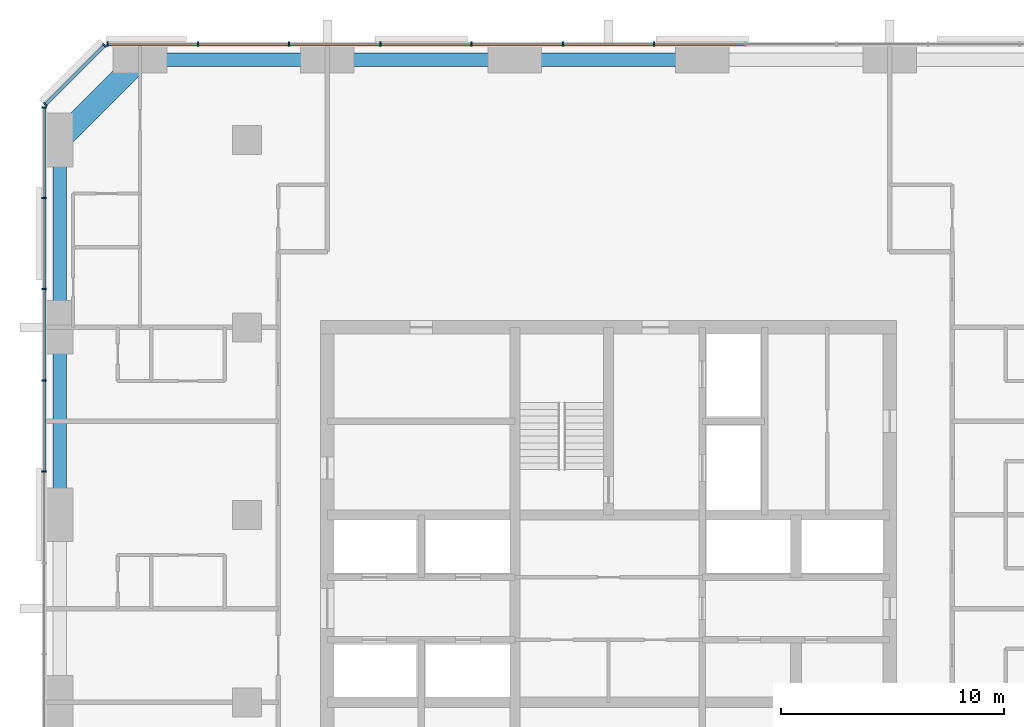
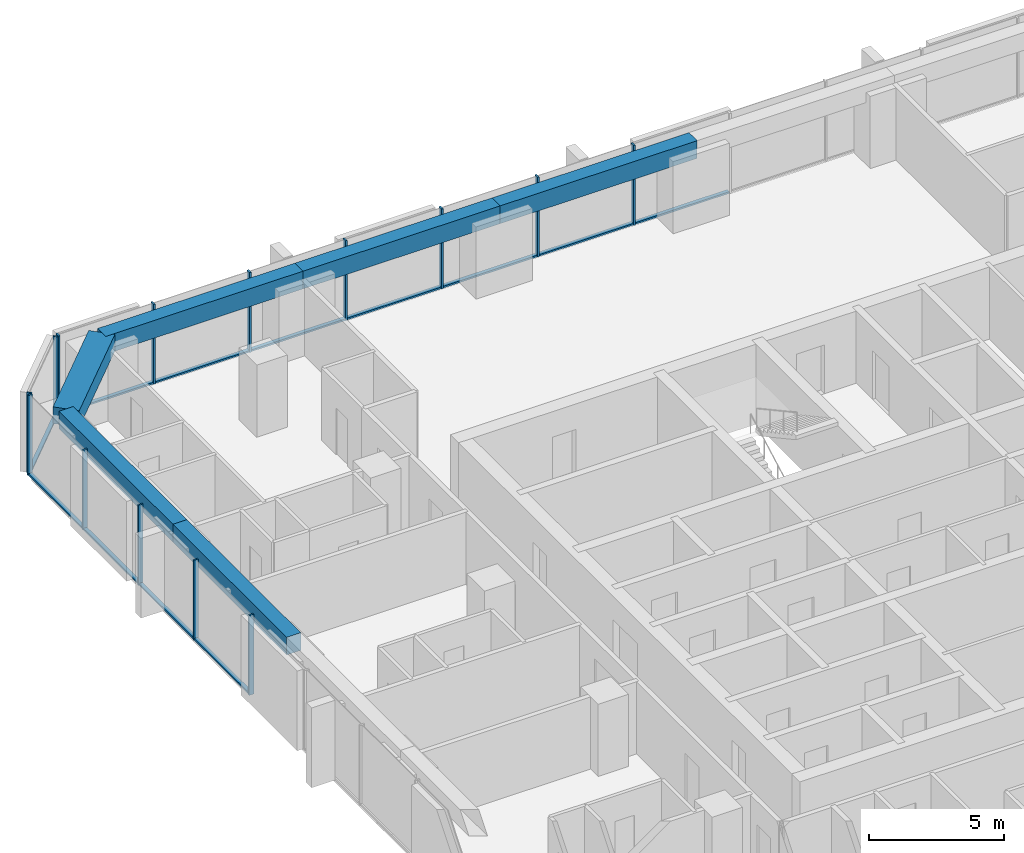
# One storey, part 5 of 14: 26 members, 6 beams, 3 elements without a shape of their own.
"""IFC4 building model written with IfcOpenShell, lengths in metres."""

import ifcopenshell
import ifcopenshell.guid

model = None  # the IFC model being written
_history = None  # IfcOwnerHistory: only IFC2X3 demands one
_inside = {}  # id of a spatial element -> (the spatial element, [elements in it])
_under = {}  # id of a project, library or spatial element -> (it, [spatial elements below it])
_declared = {}  # id of a project -> (the project, [libraries it declares])
_typed = {}  # id of a type object -> (the type object, [elements of that type])
_made_of = {}  # id of a material, layer set ... -> (it, [elements and type objects made of it])


def new_model(schema):
    """Start an empty IFC model of exactly this schema.

    Asked for "IFC4X3", IfcOpenShell would pick the latest addendum, in which some entities
    have other attributes; the version numbers below select the first issue.
    IFC2X3 requires an IfcOwnerHistory on every rooted entity: one is made here for all.
    """
    global model, _history
    if schema == "IFC4X3":
        model = ifcopenshell.file(schema_version=(4, 3, 0, 0))
    else:
        model = ifcopenshell.file(schema=schema)
    _inside.clear()
    _under.clear()
    _declared.clear()
    _typed.clear()
    _made_of.clear()
    _history = None
    if model.schema == "IFC2X3":
        org = make("IfcOrganization", Name="unknown")
        user = make(
            "IfcPersonAndOrganization",
            ThePerson=make("IfcPerson", FamilyName="unknown"),
            TheOrganization=org,
        )
        app = make(
            "IfcApplication",
            ApplicationDeveloper=org,
            Version="unknown",
            ApplicationFullName="unknown",
            ApplicationIdentifier="unknown",
        )
        _history = make(
            "IfcOwnerHistory",
            OwningUser=user,
            OwningApplication=app,
            ChangeAction="ADDED",
            CreationDate=0,
        )
    return model


def make(cls, **values):
    """One entity of the class cls with the attributes given. An attribute that is None is left unset."""
    return model.create_entity(
        cls, **{name: value for name, value in values.items() if value is not None}
    )


def rooted(cls, **values):
    """An entity with a GlobalId (a new one), such as an element, a storey or a relation."""
    return make(cls, GlobalId=ifcopenshell.guid.new(), OwnerHistory=_history, **values)


def si_unit(unit_type, name, prefix=None):
    """IfcSIUnit, for example si_unit("LENGTHUNIT", "METRE", prefix="MILLI")."""
    return make("IfcSIUnit", UnitType=unit_type, Prefix=prefix, Name=name)


def assignment(units):
    """IfcUnitAssignment: the units of a project."""
    return None if units is None else make("IfcUnitAssignment", Units=units)


def point(xyz):
    """IfcCartesianPoint."""
    return None if xyz is None else make("IfcCartesianPoint", Coordinates=xyz)


def direction(xyz):
    """IfcDirection."""
    return None if xyz is None else make("IfcDirection", DirectionRatios=xyz)


def frame(location, z_axis=None, x_axis=None):
    """IfcAxis2Placement3D, a coordinate frame: its origin and axes. An axis left out is left unset."""
    return make(
        "IfcAxis2Placement3D",
        Location=point(location),
        Axis=direction(z_axis),
        RefDirection=direction(x_axis),
    )


def frame_2d(location, x_axis=None):
    """IfcAxis2Placement2D, a coordinate frame in the plane: its origin and x axis."""
    return make(
        "IfcAxis2Placement2D", Location=point(location), RefDirection=direction(x_axis)
    )


def origin():
    """The frame at (0, 0, 0) with its axes left unset."""
    return frame((0.0, 0.0, 0.0))


def origin_2d():
    """The frame at (0, 0) in the plane with its x axis left unset."""
    return frame_2d((0.0, 0.0))


def place(relative_to, where):
    """IfcLocalPlacement: puts the frame where relative to a parent placement (None: the world)."""
    return make(
        "IfcLocalPlacement", PlacementRelTo=relative_to, RelativePlacement=where
    )


def context(
    kind, dimensions, precision=None, world=None, true_north=None, identifier=None
):
    """IfcGeometricRepresentationContext, for example the 3D "Model" context."""
    return make(
        "IfcGeometricRepresentationContext",
        ContextIdentifier=identifier,
        ContextType=kind,
        CoordinateSpaceDimension=dimensions,
        Precision=precision,
        WorldCoordinateSystem=world,
        TrueNorth=true_north,
    )


def subcontext(parent, identifier, kind, view, scale=None):
    """IfcGeometricRepresentationSubContext, for example "Body" below "Model"."""
    return make(
        "IfcGeometricRepresentationSubContext",
        ContextIdentifier=identifier,
        ContextType=kind,
        ParentContext=parent,
        TargetScale=scale,
        TargetView=view,
    )


def project(units=None, contexts=None):
    """IfcProject with its units and contexts."""
    return rooted(
        "IfcProject",
        Name="project",
        RepresentationContexts=contexts,
        UnitsInContext=assignment(units),
    )


def spatial(cls, under=None, at=None, **own):
    """A site, building, storey or space (cls), placed at a placement, below another one or the project."""
    s = rooted(cls, ObjectPlacement=at, **own)
    if under is not None:
        _under.setdefault(under.id(), (under, []))[1].append(s)
    return s


def profile(cls, at=None, kind="AREA", **sizes):
    """A parametric profile (cls). Its sizes go by their IFC names, for example OverallWidth=200.0."""
    return make(cls, ProfileType=kind, Position=at, **sizes)


def rectangle(**sizes):
    """IfcRectangleProfileDef."""
    return profile("IfcRectangleProfileDef", **sizes)


def extrude(swept, where, along, depth):
    """IfcExtrudedAreaSolid: the profile swept, set in the frame where, extruded along a direction by depth."""
    return make(
        "IfcExtrudedAreaSolid",
        SweptArea=swept,
        Position=where,
        ExtrudedDirection=direction(along),
        Depth=depth,
    )


def shape(context_of_items, identifier, shape_type, items):
    """IfcShapeRepresentation: the items that make up one representation, for example the "Body"."""
    return make(
        "IfcShapeRepresentation",
        ContextOfItems=context_of_items,
        RepresentationIdentifier=identifier,
        RepresentationType=shape_type,
        Items=items,
    )


def material(Name=None, Category=None):
    """IfcMaterial."""
    return make("IfcMaterial", Name=Name, Category=Category)


def material_profile(
    of_material, cross_section, Name=None, Category=None, Priority=None
):
    """IfcMaterialProfile: a cross section and its material."""
    return make(
        "IfcMaterialProfile",
        Name=Name,
        Material=of_material,
        Profile=cross_section,
        Priority=Priority,
        Category=Category,
    )


def profile_set(profiles, Name=None, composite=None):
    """IfcMaterialProfileSet."""
    return make(
        "IfcMaterialProfileSet",
        Name=Name,
        MaterialProfiles=profiles,
        CompositeProfile=composite,
    )


def made_of(thing, what):
    """Note that an element or type object is made of a material, layer set ...; save() writes the relation."""
    if what is not None:
        _made_of.setdefault(what.id(), (what, []))[1].append(thing)
    return thing


def type_object(cls, material=None, **own):
    """A type object (cls), such as IfcWallType, which elements share."""
    return made_of(rooted(cls, **own), material)


def element(
    cls,
    number,
    at=None,
    inside=None,
    cuts=None,
    type_object=None,
    material=None,
    context=None,
    identifier="Body",
    shape_type=None,
    held_by="IfcProductDefinitionShape",
    body=None,
    shapes=None,
    **own,
):
    """One element of the class cls, such as IfcWall. Its Tag is "e" and its number.

    at: its placement. inside: the storey or other place that contains it. cuts: it is an
    opening in that element (IfcRelVoidsElement). A single representation is given by context,
    identifier, shape_type and body (its items); several are given by shapes. held_by: the class
    of the entity that holds the representations. save() writes the other relations.
    """
    e = rooted(cls, Tag="e%d" % number, ObjectPlacement=at, **own)
    if body is not None:
        shapes = [shape(context, identifier, shape_type, body)]
    if shapes is not None:
        e.Representation = make(held_by, Representations=shapes)
    if inside is not None:
        _inside.setdefault(inside.id(), (inside, []))[1].append(e)
    if cuts is not None:
        rooted(
            "IfcRelVoidsElement", RelatingBuildingElement=cuts, RelatedOpeningElement=e
        )
    if type_object is not None:
        _typed.setdefault(type_object.id(), (type_object, []))[1].append(e)
    return made_of(e, material)


def aggregate(whole, parts):
    """IfcRelAggregates: a whole, such as a stair, and the parts it consists of."""
    return rooted("IfcRelAggregates", RelatingObject=whole, RelatedObjects=parts)


def save(model, path):
    """Write the relations noted so far, then the file.

    IfcRelAggregates (storeys below a building ...), IfcRelContainedInSpatialStructure (elements
    in a storey), IfcRelDefinesByType, IfcRelAssociatesMaterial and IfcRelDeclares: one each for
    every whole, place, type object, material and project.
    """
    for whole, parts in _under.values():
        aggregate(whole, parts)
    for where, things in _inside.values():
        rooted(
            "IfcRelContainedInSpatialStructure",
            RelatedElements=things,
            RelatingStructure=where,
        )
    for kind, things in _typed.values():
        rooted("IfcRelDefinesByType", RelatedObjects=things, RelatingType=kind)
    for what, things in _made_of.values():
        rooted("IfcRelAssociatesMaterial", RelatedObjects=things, RelatingMaterial=what)
    for by, libraries in _declared.values():
        rooted("IfcRelDeclares", RelatingContext=by, RelatedDefinitions=libraries)
    model.write(path)


model = new_model("IFC4")

# Units and contexts
model_context = context("Model", 3, precision=1e-05, world=origin(), true_north=direction((0.0, 1.0)))
body_context = subcontext(model_context, "Body", "Model", "MODEL_VIEW")
ifc_project = project(units=[si_unit("LENGTHUNIT", "METRE"), si_unit("AREAUNIT", "SQUARE_METRE"), si_unit("VOLUMEUNIT", "CUBIC_METRE"), si_unit("PLANEANGLEUNIT", "RADIAN"), si_unit("MASSUNIT", "GRAM", prefix="KILO")], contexts=[model_context])

# Site, building, storey
site_placement = place(None, origin())
site = spatial("IfcSite", under=ifc_project, at=site_placement, CompositionType="ELEMENT")
building_placement = place(site_placement, origin())
building = spatial("IfcBuilding", under=site, at=building_placement, Name="Dunama Terrace Hotel", CompositionType="ELEMENT")
storey_placement = place(building_placement, frame((0.0, 0.0, 180.60009765625)))
storey = spatial("IfcBuildingStorey", under=building, at=storey_placement, Name="L46", CompositionType="ELEMENT", Elevation=180.60009765625)

# Curtain wall, members
ifc_material_1 = material(Name="Aluminium curtain wall system", Category="aluminium")
curtain_wall_type = type_object("IfcCurtainWallType", Name="Unitised fritted glass wall CW-C", PredefinedType="NOTDEFINED", material=ifc_material_1)
curtain_wall_1_placement = place(storey_placement, origin())
curtain_wall_1 = element("IfcCurtainWall", 1, at=curtain_wall_1_placement, inside=storey, type_object=curtain_wall_type, Name="Unitised fritted glass wall CW-C L46", PredefinedType="NOTDEFINED")
ifc_material_2 = material(Name="Aluminium mullion", Category="aluminium")
ifc_material_profile_1 = material_profile(ifc_material_2, rectangle(XDim=0.070068359375, YDim=0.199951171875, at=origin_2d()), Name="CWC MULLION 70X200")
ifc_profile_set_1 = profile_set([ifc_material_profile_1], Name="Aluminium mullion")
member_type_1 = type_object("IfcMemberType", Name="CWC mullion 70x200", PredefinedType="MULLION", material=ifc_profile_set_1)
member_1_placement = place(storey_placement, frame((31.445068359375, 54.699951171875, 0.0), z_axis=(0.0, 0.0, 1.0), x_axis=(-1.0, 0.0, 0.0)))
member_1 = element("IfcMember", 2, at=member_1_placement, type_object=member_type_1, Name="CWC mullion", PredefinedType="MULLION", context=body_context, shape_type="SweptSolid", body=[
    extrude(rectangle(XDim=0.070068359375, YDim=0.199951171875, at=origin_2d()), origin(), (0.0, 0.0, 1.0), 3.599853515625),
])
member_2_placement = place(storey_placement, frame((27.35498046875, 54.699951171875, 0.0), z_axis=(0.0, 0.0, 1.0), x_axis=(-1.0, 0.0, 0.0)))
member_2 = element("IfcMember", 3, at=member_2_placement, type_object=member_type_1, Name="CWC mullion", PredefinedType="MULLION", context=body_context, shape_type="SweptSolid", body=[
    extrude(rectangle(XDim=0.070068359375, YDim=0.199951171875, at=origin_2d()), origin(), (0.0, 0.0, 1.0), 3.599853515625),
])
member_3_placement = place(storey_placement, frame((23.263916015625, 54.699951171875, 0.0), z_axis=(0.0, 0.0, 1.0), x_axis=(-1.0, 0.0, 0.0)))
member_3 = element("IfcMember", 4, at=member_3_placement, type_object=member_type_1, Name="CWC mullion", PredefinedType="MULLION", context=body_context, shape_type="SweptSolid", body=[
    extrude(rectangle(XDim=0.070068359375, YDim=0.199951171875, at=origin_2d()), origin(), (0.0, 0.0, 1.0), 3.599853515625),
])
member_4_placement = place(storey_placement, frame((19.173095703125, 54.699951171875, 0.0), z_axis=(0.0, 0.0, 1.0), x_axis=(-1.0, 0.0, 0.0)))
member_4 = element("IfcMember", 5, at=member_4_placement, type_object=member_type_1, Name="CWC mullion", PredefinedType="MULLION", context=body_context, shape_type="SweptSolid", body=[
    extrude(rectangle(XDim=0.070068359375, YDim=0.199951171875, at=origin_2d()), origin(), (0.0, 0.0, 1.0), 3.599853515625),
])
member_5_placement = place(storey_placement, frame((15.08203125, 54.699951171875, 0.0), z_axis=(0.0, 0.0, 1.0), x_axis=(-1.0, 0.0, 0.0)))
member_5 = element("IfcMember", 6, at=member_5_placement, type_object=member_type_1, Name="CWC mullion", PredefinedType="MULLION", context=body_context, shape_type="SweptSolid", body=[
    extrude(rectangle(XDim=0.070068359375, YDim=0.199951171875, at=origin_2d()), origin(), (0.0, 0.0, 1.0), 3.599853515625),
])
member_6_placement = place(storey_placement, frame((10.990966796875, 54.699951171875, 0.0), z_axis=(0.0, 0.0, 1.0), x_axis=(-1.0, 0.0, 0.0)))
member_6 = element("IfcMember", 7, at=member_6_placement, type_object=member_type_1, Name="CWC mullion", PredefinedType="MULLION", context=body_context, shape_type="SweptSolid", body=[
    extrude(rectangle(XDim=0.070068359375, YDim=0.199951171875, at=origin_2d()), origin(), (0.0, 0.0, 1.0), 3.599853515625),
])
member_7_placement = place(storey_placement, frame((6.93505859375, 54.699951171875, 0.0), z_axis=(0.0, 0.0, 1.0), x_axis=(-1.0, 0.0, 0.0)))
member_7 = element("IfcMember", 8, at=member_7_placement, type_object=member_type_1, Name="CWC mullion", PredefinedType="MULLION", context=body_context, shape_type="SweptSolid", body=[
    extrude(rectangle(XDim=0.070068359375, YDim=0.199951171875, at=origin_2d()), origin(), (0.0, 0.0, 1.0), 3.599853515625),
])

curtain_wall_2_placement = place(storey_placement, origin())
curtain_wall_2 = element("IfcCurtainWall", 9, at=curtain_wall_2_placement, inside=storey, type_object=curtain_wall_type, Name="Unitised fritted glass wall CW-C L46", PredefinedType="NOTDEFINED")
member_8_placement = place(storey_placement, frame((6.804931640625, 54.64599609375, 0.0), z_axis=(0.0, 0.0, 1.0), x_axis=(-0.707106781187, -0.707106781187, 0.0)))
member_8 = element("IfcMember", 10, at=member_8_placement, type_object=member_type_1, Name="CWC mullion", PredefinedType="MULLION", context=body_context, shape_type="SweptSolid", body=[
    extrude(rectangle(XDim=0.070068359375, YDim=0.199951171875, at=origin_2d()), origin(), (0.0, 0.0, 1.0), 3.599853515625),
])
member_9_placement = place(storey_placement, frame((4.154052734375, 51.9951171875, 0.0), z_axis=(0.0, 0.0, 1.0), x_axis=(-0.707106781187, -0.707106781187, 0.0)))
member_9 = element("IfcMember", 11, at=member_9_placement, type_object=member_type_1, Name="CWC mullion", PredefinedType="MULLION", context=body_context, shape_type="SweptSolid", body=[
    extrude(rectangle(XDim=0.070068359375, YDim=0.199951171875, at=origin_2d()), origin(), (0.0, 0.0, 1.0), 3.599853515625),
])

curtain_wall_3_placement = place(storey_placement, origin())
curtain_wall_3 = element("IfcCurtainWall", 12, at=curtain_wall_3_placement, inside=storey, type_object=curtain_wall_type, Name="Unitised fritted glass wall CW-C L46", PredefinedType="NOTDEFINED")
member_10_placement = place(storey_placement, frame((4.10009765625, 51.864990234375, 0.0), z_axis=(0.0, 0.0, 1.0), x_axis=(0.0, -1.0, 0.0)))
member_10 = element("IfcMember", 13, at=member_10_placement, type_object=member_type_1, Name="CWC mullion", PredefinedType="MULLION", context=body_context, shape_type="SweptSolid", body=[
    extrude(rectangle(XDim=0.070068359375, YDim=0.199951171875, at=origin_2d()), origin(), (0.0, 0.0, 1.0), 3.599853515625),
])
member_11_placement = place(storey_placement, frame((4.10009765625, 47.80908203125, 0.0), z_axis=(0.0, 0.0, 1.0), x_axis=(0.0, -1.0, 0.0)))
member_11 = element("IfcMember", 14, at=member_11_placement, type_object=member_type_1, Name="CWC mullion", PredefinedType="MULLION", context=body_context, shape_type="SweptSolid", body=[
    extrude(rectangle(XDim=0.070068359375, YDim=0.199951171875, at=origin_2d()), origin(), (0.0, 0.0, 1.0), 3.599853515625),
])
member_12_placement = place(storey_placement, frame((4.10009765625, 43.718017578125, 0.0), z_axis=(0.0, 0.0, 1.0), x_axis=(0.0, -1.0, 0.0)))
member_12 = element("IfcMember", 15, at=member_12_placement, type_object=member_type_1, Name="CWC mullion", PredefinedType="MULLION", context=body_context, shape_type="SweptSolid", body=[
    extrude(rectangle(XDim=0.070068359375, YDim=0.199951171875, at=origin_2d()), origin(), (0.0, 0.0, 1.0), 3.599853515625),
])
member_13_placement = place(storey_placement, frame((4.10009765625, 39.626953125, 0.0), z_axis=(0.0, 0.0, 1.0), x_axis=(0.0, -1.0, 0.0)))
member_13 = element("IfcMember", 16, at=member_13_placement, type_object=member_type_1, Name="CWC mullion", PredefinedType="MULLION", context=body_context, shape_type="SweptSolid", body=[
    extrude(rectangle(XDim=0.070068359375, YDim=0.199951171875, at=origin_2d()), origin(), (0.0, 0.0, 1.0), 3.599853515625),
])
member_14_placement = place(storey_placement, frame((4.10009765625, 35.535888671875, 0.0), z_axis=(0.0, 0.0, 1.0), x_axis=(0.0, -1.0, 0.0)))
member_14 = element("IfcMember", 17, at=member_14_placement, type_object=member_type_1, Name="CWC mullion", PredefinedType="MULLION", context=body_context, shape_type="SweptSolid", body=[
    extrude(rectangle(XDim=0.070068359375, YDim=0.199951171875, at=origin_2d()), origin(), (0.0, 0.0, 1.0), 3.599853515625),
])

# Member
ifc_material_3 = material(Name="Aluminium transom", Category="aluminium")
ifc_material_profile_2 = material_profile(ifc_material_3, rectangle(XDim=0.159912109375, YDim=0.080078125, at=origin_2d()), Name="CWC TRANSOM 160X80")
ifc_profile_set_2 = profile_set([ifc_material_profile_2], Name="Aluminium transom")
member_type_2 = type_object("IfcMemberType", Name="CWC transom 160x80", PredefinedType="USERDEFINED", material=ifc_profile_set_2)
member_15_placement = place(storey_placement, frame((35.5009765625, 54.699951171875, 0.039794921875), z_axis=(-1.0, 0.0, 0.0), x_axis=(0.0, -1.0, 0.0)))
member_15 = element("IfcMember", 18, at=member_15_placement, type_object=member_type_2, Name="CWC transom", ObjectType="TRANSOM", PredefinedType="USERDEFINED", context=body_context, shape_type="SweptSolid", body=[
    extrude(rectangle(XDim=0.159912109375, YDim=0.080078125, at=origin_2d()), origin(), (0.0, 0.0, 1.0), 4.02099609375),
])

member_16_placement = place(storey_placement, frame((31.409912109375, 54.699951171875, 0.039794921875), z_axis=(-1.0, 0.0, 0.0), x_axis=(0.0, -1.0, 0.0)))
member_16 = element("IfcMember", 19, at=member_16_placement, type_object=member_type_2, Name="CWC transom", ObjectType="TRANSOM", PredefinedType="USERDEFINED", context=body_context, shape_type="SweptSolid", body=[
    extrude(rectangle(XDim=0.159912109375, YDim=0.080078125, at=origin_2d()), origin(), (0.0, 0.0, 1.0), 4.02001953125),
])

member_17_placement = place(storey_placement, frame((27.320068359375, 54.699951171875, 0.039794921875), z_axis=(-1.0, 0.0, 0.0), x_axis=(0.0, -1.0, 0.0)))
member_17 = element("IfcMember", 20, at=member_17_placement, type_object=member_type_2, Name="CWC transom", ObjectType="TRANSOM", PredefinedType="USERDEFINED", context=body_context, shape_type="SweptSolid", body=[
    extrude(rectangle(XDim=0.159912109375, YDim=0.080078125, at=origin_2d()), origin(), (0.0, 0.0, 1.0), 4.02099609375),
])

member_18_placement = place(storey_placement, frame((23.22900390625, 54.699951171875, 0.039794921875), z_axis=(-1.0, 0.0, 0.0), x_axis=(0.0, -1.0, 0.0)))
member_18 = element("IfcMember", 21, at=member_18_placement, type_object=member_type_2, Name="CWC transom", ObjectType="TRANSOM", PredefinedType="USERDEFINED", context=body_context, shape_type="SweptSolid", body=[
    extrude(rectangle(XDim=0.159912109375, YDim=0.080078125, at=origin_2d()), origin(), (0.0, 0.0, 1.0), 4.02099609375),
])

member_19_placement = place(storey_placement, frame((19.137939453125, 54.699951171875, 0.039794921875), z_axis=(-1.0, 0.0, 0.0), x_axis=(0.0, -1.0, 0.0)))
member_19 = element("IfcMember", 22, at=member_19_placement, type_object=member_type_2, Name="CWC transom", ObjectType="TRANSOM", PredefinedType="USERDEFINED", context=body_context, shape_type="SweptSolid", body=[
    extrude(rectangle(XDim=0.159912109375, YDim=0.080078125, at=origin_2d()), origin(), (0.0, 0.0, 1.0), 4.02099609375),
])

member_20_placement = place(storey_placement, frame((15.047119140625, 54.699951171875, 0.039794921875), z_axis=(-1.0, 0.0, 0.0), x_axis=(0.0, -1.0, 0.0)))
member_20 = element("IfcMember", 23, at=member_20_placement, type_object=member_type_2, Name="CWC transom", ObjectType="TRANSOM", PredefinedType="USERDEFINED", context=body_context, shape_type="SweptSolid", body=[
    extrude(rectangle(XDim=0.159912109375, YDim=0.080078125, at=origin_2d()), origin(), (0.0, 0.0, 1.0), 4.021240234375),
])

member_21_placement = place(storey_placement, frame((10.9560546875, 54.699951171875, 0.039794921875), z_axis=(-1.0, 0.0, 0.0), x_axis=(0.0, -1.0, 0.0)))
member_21 = element("IfcMember", 24, at=member_21_placement, type_object=member_type_2, Name="CWC transom", ObjectType="TRANSOM", PredefinedType="USERDEFINED", context=body_context, shape_type="SweptSolid", body=[
    extrude(rectangle(XDim=0.159912109375, YDim=0.080078125, at=origin_2d()), origin(), (0.0, 0.0, 1.0), 3.986083984375),
])

aggregate(curtain_wall_1, [member_1, member_2, member_3, member_4, member_5, member_6, member_7, member_15, member_16, member_17, member_18, member_19, member_20, member_21])

member_22_placement = place(storey_placement, frame((6.780029296875, 54.62109375, 0.039794921875), z_axis=(-0.707106781187, -0.707106781187, 0.0), x_axis=(0.707106781187, -0.707106781187, 0.0)))
member_22 = element("IfcMember", 25, at=member_22_placement, type_object=member_type_2, Name="CWC transom", ObjectType="TRANSOM", PredefinedType="USERDEFINED", context=body_context, shape_type="SweptSolid", body=[
    extrude(rectangle(XDim=0.159912109375, YDim=0.080078125, at=origin_2d()), origin(), (0.0, 0.0, 1.0), 3.678466796875),
])

aggregate(curtain_wall_2, [member_8, member_9, member_22])

member_23_placement = place(storey_placement, frame((4.10009765625, 51.830078125, 0.039794921875), z_axis=(0.0, -1.0, 0.0), x_axis=(1.0, 0.0, 0.0)))
member_23 = element("IfcMember", 26, at=member_23_placement, type_object=member_type_2, Name="CWC transom", ObjectType="TRANSOM", PredefinedType="USERDEFINED", context=body_context, shape_type="SweptSolid", body=[
    extrude(rectangle(XDim=0.159912109375, YDim=0.080078125, at=origin_2d()), origin(), (0.0, 0.0, 1.0), 3.986083984375),
])

member_24_placement = place(storey_placement, frame((4.10009765625, 47.77392578125, 0.039794921875), z_axis=(0.0, -1.0, 0.0), x_axis=(1.0, 0.0, 0.0)))
member_24 = element("IfcMember", 27, at=member_24_placement, type_object=member_type_2, Name="CWC transom", ObjectType="TRANSOM", PredefinedType="USERDEFINED", context=body_context, shape_type="SweptSolid", body=[
    extrude(rectangle(XDim=0.159912109375, YDim=0.080078125, at=origin_2d()), origin(), (0.0, 0.0, 1.0), 4.02099609375),
])

member_25_placement = place(storey_placement, frame((4.10009765625, 43.68310546875, 0.039794921875), z_axis=(0.0, -1.0, 0.0), x_axis=(1.0, 0.0, 0.0)))
member_25 = element("IfcMember", 28, at=member_25_placement, type_object=member_type_2, Name="CWC transom", ObjectType="TRANSOM", PredefinedType="USERDEFINED", context=body_context, shape_type="SweptSolid", body=[
    extrude(rectangle(XDim=0.159912109375, YDim=0.080078125, at=origin_2d()), origin(), (0.0, 0.0, 1.0), 4.02099609375),
])

member_26_placement = place(storey_placement, frame((4.10009765625, 39.592041015625, 0.039794921875), z_axis=(0.0, -1.0, 0.0), x_axis=(1.0, 0.0, 0.0)))
member_26 = element("IfcMember", 29, at=member_26_placement, type_object=member_type_2, Name="CWC transom", ObjectType="TRANSOM", PredefinedType="USERDEFINED", context=body_context, shape_type="SweptSolid", body=[
    extrude(rectangle(XDim=0.159912109375, YDim=0.080078125, at=origin_2d()), origin(), (0.0, 0.0, 1.0), 4.02099609375),
])

aggregate(curtain_wall_3, [member_10, member_11, member_12, member_13, member_14, member_23, member_24, member_25, member_26])

# Beams
ifc_material_4 = material(Name="Concrete C50/60", Category="concrete")
ifc_material_profile_3 = material_profile(ifc_material_4, rectangle(XDim=1.0, YDim=0.75, at=origin_2d()), Name="RC 1000x750")
ifc_profile_set_3 = profile_set([ifc_material_profile_3], Name="Concrete C50/60")
beam_type_1 = type_object("IfcBeamType", Name="Edge beam RC 1000x750", PredefinedType="SPANDREL", material=ifc_profile_set_3)
beam_1_placement = place(storey_placement, frame((8.39990234375, 54.0, 3.224853515625), z_axis=(-0.707082803744, -0.707130757816, 0.0), x_axis=(0.707130757816, -0.707082803744, 0.0)))
element("IfcBeam", 30, at=beam_1_placement, inside=storey, type_object=beam_type_1, Name="Corner edge beam under L47", PredefinedType="SPANDREL", context=body_context, shape_type="SweptSolid", body=[
    extrude(rectangle(XDim=1.0, YDim=0.75, at=origin_2d()), origin(), (0.0, 0.0, 1.0), 5.091064453125),
])
ifc_material_5 = material(Name="Concrete C40/50", Category="concrete")
ifc_material_profile_4 = material_profile(ifc_material_5, rectangle(XDim=0.60009765625, YDim=0.800048828125, at=origin_2d()), Name="RC 600x800")
ifc_profile_set_4 = profile_set([ifc_material_profile_4], Name="Concrete C40/50")
beam_type_2 = type_object("IfcBeamType", Name="Edge beam RC 600x800", PredefinedType="SPANDREL", material=ifc_profile_set_4)
for number, where, z_axis, x_axis, name in (
    (31, (4.800048828125, 33.60009765625, 3.199951171875), (0.0, 1.0, 0.0), (-1.0, 0.0, 0.0), "Edge beam under L47"),
    (32, (4.800048828125, 42.0, 3.199951171875), (0.0, 1.0, 0.0), (-1.0, 0.0, 0.0), "Edge beam under L47"),
):
    element("IfcBeam", number, at=place(storey_placement, frame(where, z_axis=z_axis, x_axis=x_axis)), inside=storey, type_object=beam_type_2, Name=name, PredefinedType="SPANDREL", context=body_context, shape_type="SweptSolid", body=[
        extrude(rectangle(XDim=0.60009765625, YDim=0.800048828125, at=origin_2d()), origin(), (0.0, 0.0, 1.0), 8.39990234375),
    ])
beam_2_placement = place(storey_placement, frame((8.39990234375, 54.0, 3.199951171875), z_axis=(1.0, 0.0, 0.0), x_axis=(0.0, 1.0, 0.0)))
element("IfcBeam", 33, at=beam_2_placement, inside=storey, type_object=beam_type_2, Name="Edge beam under L47", PredefinedType="SPANDREL", context=body_context, shape_type="SweptSolid", body=[
    extrude(rectangle(XDim=0.60009765625, YDim=0.800048828125, at=origin_2d()), origin(), (0.0, 0.0, 1.0), 8.400146484375),
])
beam_3_placement = place(storey_placement, frame((16.800048828125, 54.0, 3.199951171875), z_axis=(1.0, 0.0, 0.0), x_axis=(0.0, 1.0, 0.0)))
element("IfcBeam", 34, at=beam_3_placement, inside=storey, type_object=beam_type_2, Name="Edge beam under L47", PredefinedType="SPANDREL", context=body_context, shape_type="SweptSolid", body=[
    extrude(rectangle(XDim=0.60009765625, YDim=0.800048828125, at=origin_2d()), origin(), (0.0, 0.0, 1.0), 8.39990234375),
])
beam_4_placement = place(storey_placement, frame((25.199951171875, 54.0, 3.199951171875), z_axis=(1.0, 0.0, 0.0), x_axis=(0.0, 1.0, 0.0)))
element("IfcBeam", 35, at=beam_4_placement, inside=storey, type_object=beam_type_2, Name="Edge beam under L47", PredefinedType="SPANDREL", context=body_context, shape_type="SweptSolid", body=[
    extrude(rectangle(XDim=0.60009765625, YDim=0.800048828125, at=origin_2d()), origin(), (0.0, 0.0, 1.0), 8.400146484375),
])

save(model, "model.ifc")
